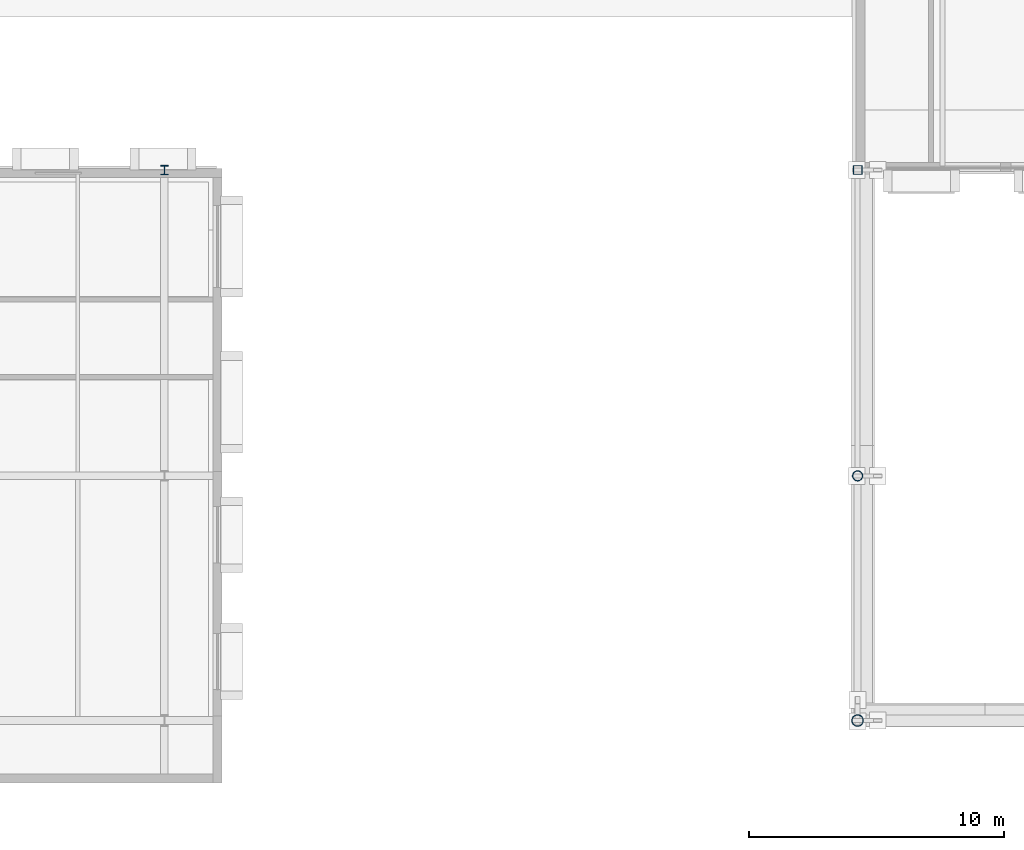
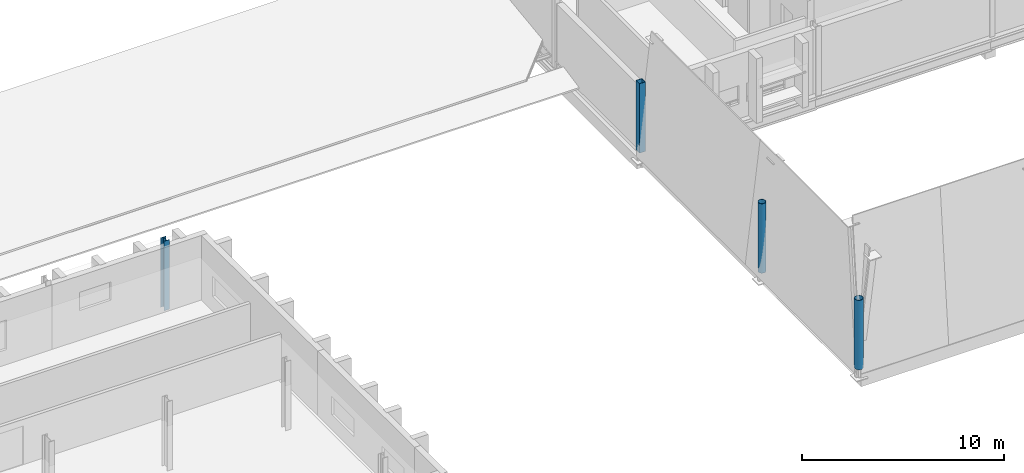
# One storey, part 14 of 90: 4 columns.
"""IFC4 building model written with IfcOpenShell, lengths in metres."""

from ifc_helpers import new_model, si_unit, direction, frame, origin, origin_2d, place, context, subcontext, project, spatial, hollow_rectangle, hollow_circle, i_section, extrude, material, material_profile, profile_set, type_object, element, save


model = new_model("IFC4")

# Units and contexts
model_context = context("Model", 3, precision=1e-05, world=origin(), true_north=direction((0.0, 1.0)))
body_context = subcontext(model_context, "Body", "Model", "MODEL_VIEW")
ifc_project = project(units=[si_unit("LENGTHUNIT", "METRE"), si_unit("AREAUNIT", "SQUARE_METRE"), si_unit("VOLUMEUNIT", "CUBIC_METRE"), si_unit("PLANEANGLEUNIT", "RADIAN"), si_unit("MASSUNIT", "GRAM", prefix="KILO")], contexts=[model_context])

# Site, building, storey
site_placement = place(None, origin())
site = spatial("IfcSite", under=ifc_project, at=site_placement, CompositionType="ELEMENT")
building_placement = place(site_placement, origin())
building = spatial("IfcBuilding", under=site, at=building_placement, Name="Zereglee Splitstone Museum", CompositionType="ELEMENT")
storey_placement = place(building_placement, frame((0.0, 0.0, 4.800048828125)))
storey = spatial("IfcBuildingStorey", under=building, at=storey_placement, Name="L01", CompositionType="ELEMENT", Elevation=4.800048828125)

# Columns
ifc_material_1 = material(Name="Steel S355J2H", Category="steel")
ifc_material_profile_1 = material_profile(ifc_material_1, hollow_circle(Radius=0.203125, WallThickness=0.02001953125, at=origin_2d()), Name="CHS 406.4x20")
ifc_profile_set_1 = profile_set([ifc_material_profile_1], Name="Steel S355J2H")
column_type_1 = type_object("IfcColumnType", Name="C-18", PredefinedType="COLUMN", material=ifc_profile_set_1)
column_1_placement = place(storey_placement, frame((256.0, 9.60009765625, 0.0), z_axis=(0.0, 0.0, 1.0), x_axis=(1.0, 0.0, 0.0)))
element("IfcColumn", 1, at=column_1_placement, inside=storey, type_object=column_type_1, Name="Column 29/B L01", PredefinedType="COLUMN", context=body_context, shape_type="SweptSolid", body=[
    extrude(hollow_circle(Radius=0.203125, WallThickness=0.02001953125, at=origin_2d()), origin(), (0.0, 0.0, 1.0), 4.199951171875),
])
ifc_material_profile_2 = material_profile(ifc_material_1, hollow_circle(Radius=0.228515625, WallThickness=0.02001953125, at=origin_2d()), Name="CHS 457.0x20")
ifc_profile_set_2 = profile_set([ifc_material_profile_2], Name="Steel S355J2H")
column_type_2 = type_object("IfcColumnType", Name="C-17", PredefinedType="COLUMN", material=ifc_profile_set_2)
column_2_placement = place(storey_placement, frame((256.0, 0.0, 0.0), z_axis=(0.0, 0.0, 1.0), x_axis=(1.0, 0.0, 0.0)))
element("IfcColumn", 2, at=column_2_placement, inside=storey, type_object=column_type_2, Name="Column 29/A L01", PredefinedType="COLUMN", context=body_context, shape_type="SweptSolid", body=[
    extrude(hollow_circle(Radius=0.228515625, WallThickness=0.02001953125, at=origin_2d()), origin(), (0.0, 0.0, 1.0), 4.199951171875),
])
ifc_material_2 = material(Name="Steel S355J2", Category="steel")
ifc_material_profile_3 = material_profile(ifc_material_2, i_section(OverallWidth=0.300048828125, OverallDepth=0.360107421875, WebThickness=0.012451171875, FlangeThickness=0.0224609375, FilletRadius=0.027099609375, at=origin_2d()), Name="HE 360 B")
ifc_profile_set_3 = profile_set([ifc_material_profile_3], Name="Steel S355J2")
column_type_3 = type_object("IfcColumnType", Name="C-16", PredefinedType="COLUMN", material=ifc_profile_set_3)
column_3_placement = place(storey_placement, frame((228.800048828125, 21.60009765625, 0.0), z_axis=(0.0, 0.0, 1.0), x_axis=(1.0, 0.0, 0.0)))
element("IfcColumn", 3, at=column_3_placement, inside=storey, type_object=column_type_3, Name="Column 26/C L01", PredefinedType="COLUMN", context=body_context, shape_type="SweptSolid", body=[
    extrude(i_section(OverallWidth=0.300048828125, OverallDepth=0.360107421875, WebThickness=0.012451171875, FlangeThickness=0.0224609375, FilletRadius=0.027099609375, at=origin_2d()), origin(), (0.0, 0.0, 1.0), 4.199951171875),
])
ifc_material_profile_4 = material_profile(ifc_material_1, hollow_rectangle(XDim=0.35009765625, YDim=0.35009765625, WallThickness=0.01611328125, at=origin_2d()), Name="SHS 350x350x16")
ifc_profile_set_4 = profile_set([ifc_material_profile_4], Name="Steel S355J2H")
column_type_4 = type_object("IfcColumnType", Name="C-19", PredefinedType="COLUMN", material=ifc_profile_set_4)
column_4_placement = place(storey_placement, frame((256.0, 21.60009765625, 0.0), z_axis=(0.0, 0.0, 1.0), x_axis=(1.0, 0.0, 0.0)))
element("IfcColumn", 4, at=column_4_placement, inside=storey, type_object=column_type_4, Name="Column 29/C L01", PredefinedType="COLUMN", context=body_context, shape_type="SweptSolid", body=[
    extrude(hollow_rectangle(XDim=0.35009765625, YDim=0.35009765625, WallThickness=0.01611328125, at=origin_2d()), origin(), (0.0, 0.0, 1.0), 4.199951171875),
])

save(model, "model.ifc")
